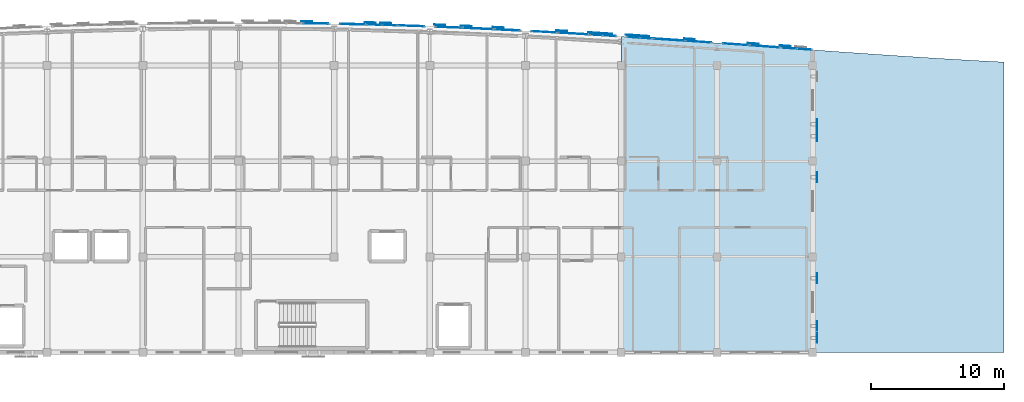
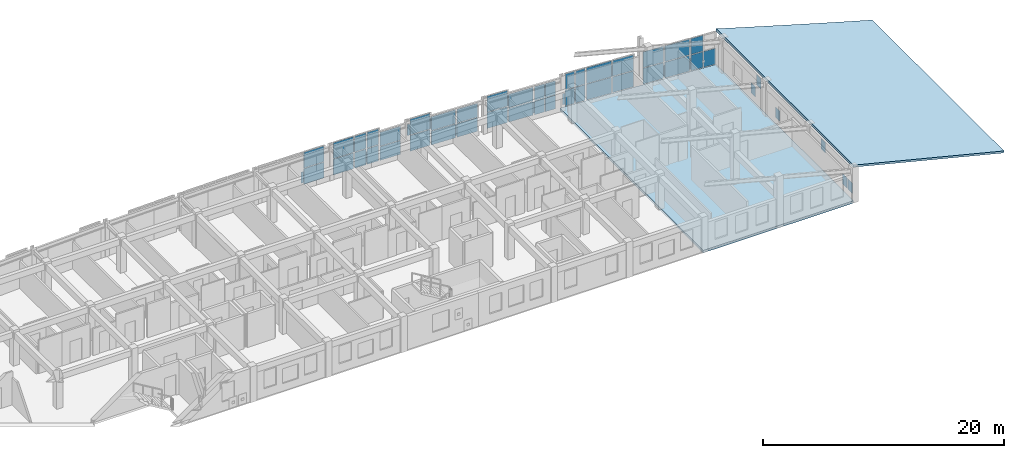
# One storey, part 28 of 41: 59 plates, 2 slabs, 16 elements without a shape of their own.
"""IFC4 building model written with IfcOpenShell, lengths in metres."""

import ifcopenshell
import ifcopenshell.guid

model = None  # the IFC model being written
_history = None  # IfcOwnerHistory: only IFC2X3 demands one
_inside = {}  # id of a spatial element -> (the spatial element, [elements in it])
_under = {}  # id of a project, library or spatial element -> (it, [spatial elements below it])
_declared = {}  # id of a project -> (the project, [libraries it declares])
_typed = {}  # id of a type object -> (the type object, [elements of that type])
_made_of = {}  # id of a material, layer set ... -> (it, [elements and type objects made of it])


def new_model(schema):
    """Start an empty IFC model of exactly this schema.

    Asked for "IFC4X3", IfcOpenShell would pick the latest addendum, in which some entities
    have other attributes; the version numbers below select the first issue.
    IFC2X3 requires an IfcOwnerHistory on every rooted entity: one is made here for all.
    """
    global model, _history
    if schema == "IFC4X3":
        model = ifcopenshell.file(schema_version=(4, 3, 0, 0))
    else:
        model = ifcopenshell.file(schema=schema)
    _inside.clear()
    _under.clear()
    _declared.clear()
    _typed.clear()
    _made_of.clear()
    _history = None
    if model.schema == "IFC2X3":
        org = make("IfcOrganization", Name="unknown")
        user = make(
            "IfcPersonAndOrganization",
            ThePerson=make("IfcPerson", FamilyName="unknown"),
            TheOrganization=org,
        )
        app = make(
            "IfcApplication",
            ApplicationDeveloper=org,
            Version="unknown",
            ApplicationFullName="unknown",
            ApplicationIdentifier="unknown",
        )
        _history = make(
            "IfcOwnerHistory",
            OwningUser=user,
            OwningApplication=app,
            ChangeAction="ADDED",
            CreationDate=0,
        )
    return model


def make(cls, **values):
    """One entity of the class cls with the attributes given. An attribute that is None is left unset."""
    return model.create_entity(
        cls, **{name: value for name, value in values.items() if value is not None}
    )


def rooted(cls, **values):
    """An entity with a GlobalId (a new one), such as an element, a storey or a relation."""
    return make(cls, GlobalId=ifcopenshell.guid.new(), OwnerHistory=_history, **values)


def si_unit(unit_type, name, prefix=None):
    """IfcSIUnit, for example si_unit("LENGTHUNIT", "METRE", prefix="MILLI")."""
    return make("IfcSIUnit", UnitType=unit_type, Prefix=prefix, Name=name)


def assignment(units):
    """IfcUnitAssignment: the units of a project."""
    return None if units is None else make("IfcUnitAssignment", Units=units)


def point(xyz):
    """IfcCartesianPoint."""
    return None if xyz is None else make("IfcCartesianPoint", Coordinates=xyz)


def direction(xyz):
    """IfcDirection."""
    return None if xyz is None else make("IfcDirection", DirectionRatios=xyz)


def frame(location, z_axis=None, x_axis=None):
    """IfcAxis2Placement3D, a coordinate frame: its origin and axes. An axis left out is left unset."""
    return make(
        "IfcAxis2Placement3D",
        Location=point(location),
        Axis=direction(z_axis),
        RefDirection=direction(x_axis),
    )


def frame_2d(location, x_axis=None):
    """IfcAxis2Placement2D, a coordinate frame in the plane: its origin and x axis."""
    return make(
        "IfcAxis2Placement2D", Location=point(location), RefDirection=direction(x_axis)
    )


def origin():
    """The frame at (0, 0, 0) with its axes left unset."""
    return frame((0.0, 0.0, 0.0))


def origin_2d():
    """The frame at (0, 0) in the plane with its x axis left unset."""
    return frame_2d((0.0, 0.0))


def place(relative_to, where):
    """IfcLocalPlacement: puts the frame where relative to a parent placement (None: the world)."""
    return make(
        "IfcLocalPlacement", PlacementRelTo=relative_to, RelativePlacement=where
    )


def context(
    kind, dimensions, precision=None, world=None, true_north=None, identifier=None
):
    """IfcGeometricRepresentationContext, for example the 3D "Model" context."""
    return make(
        "IfcGeometricRepresentationContext",
        ContextIdentifier=identifier,
        ContextType=kind,
        CoordinateSpaceDimension=dimensions,
        Precision=precision,
        WorldCoordinateSystem=world,
        TrueNorth=true_north,
    )


def subcontext(parent, identifier, kind, view, scale=None):
    """IfcGeometricRepresentationSubContext, for example "Body" below "Model"."""
    return make(
        "IfcGeometricRepresentationSubContext",
        ContextIdentifier=identifier,
        ContextType=kind,
        ParentContext=parent,
        TargetScale=scale,
        TargetView=view,
    )


def project(units=None, contexts=None):
    """IfcProject with its units and contexts."""
    return rooted(
        "IfcProject",
        Name="project",
        RepresentationContexts=contexts,
        UnitsInContext=assignment(units),
    )


def spatial(cls, under=None, at=None, **own):
    """A site, building, storey or space (cls), placed at a placement, below another one or the project."""
    s = rooted(cls, ObjectPlacement=at, **own)
    if under is not None:
        _under.setdefault(under.id(), (under, []))[1].append(s)
    return s


def polyline(points):
    """IfcPolyline through the points."""
    return make("IfcPolyline", Points=[point(p) for p in points])


def profile(cls, at=None, kind="AREA", **sizes):
    """A parametric profile (cls). Its sizes go by their IFC names, for example OverallWidth=200.0."""
    return make(cls, ProfileType=kind, Position=at, **sizes)


def rectangle(**sizes):
    """IfcRectangleProfileDef."""
    return profile("IfcRectangleProfileDef", **sizes)


def outline(outer, holes=None, kind="AREA"):
    """IfcArbitraryClosedProfileDef: a profile drawn as a closed curve; with holes, ...WithVoids."""
    if holes is None:
        return make("IfcArbitraryClosedProfileDef", ProfileType=kind, OuterCurve=outer)
    return make(
        "IfcArbitraryProfileDefWithVoids",
        ProfileType=kind,
        OuterCurve=outer,
        InnerCurves=holes,
    )


def extrude(swept, where, along, depth):
    """IfcExtrudedAreaSolid: the profile swept, set in the frame where, extruded along a direction by depth."""
    return make(
        "IfcExtrudedAreaSolid",
        SweptArea=swept,
        Position=where,
        ExtrudedDirection=direction(along),
        Depth=depth,
    )


def shape(context_of_items, identifier, shape_type, items):
    """IfcShapeRepresentation: the items that make up one representation, for example the "Body"."""
    return make(
        "IfcShapeRepresentation",
        ContextOfItems=context_of_items,
        RepresentationIdentifier=identifier,
        RepresentationType=shape_type,
        Items=items,
    )


def material(Name=None, Category=None):
    """IfcMaterial."""
    return make("IfcMaterial", Name=Name, Category=Category)


def layer(
    of_material, thickness, ventilated=None, Name=None, Category=None, Priority=None
):
    """IfcMaterialLayer: one layer of a wall or slab, of a material (None: an air gap)."""
    return make(
        "IfcMaterialLayer",
        Material=of_material,
        LayerThickness=thickness,
        IsVentilated=ventilated,
        Name=Name,
        Category=Category,
        Priority=Priority,
    )


def layer_set(layers, Name=None):
    """IfcMaterialLayerSet."""
    return make("IfcMaterialLayerSet", MaterialLayers=layers, LayerSetName=Name)


def made_of(thing, what):
    """Note that an element or type object is made of a material, layer set ...; save() writes the relation."""
    if what is not None:
        _made_of.setdefault(what.id(), (what, []))[1].append(thing)
    return thing


def type_object(cls, material=None, **own):
    """A type object (cls), such as IfcWallType, which elements share."""
    return made_of(rooted(cls, **own), material)


def element(
    cls,
    number,
    at=None,
    inside=None,
    cuts=None,
    type_object=None,
    material=None,
    context=None,
    identifier="Body",
    shape_type=None,
    held_by="IfcProductDefinitionShape",
    body=None,
    shapes=None,
    **own,
):
    """One element of the class cls, such as IfcWall. Its Tag is "e" and its number.

    at: its placement. inside: the storey or other place that contains it. cuts: it is an
    opening in that element (IfcRelVoidsElement). A single representation is given by context,
    identifier, shape_type and body (its items); several are given by shapes. held_by: the class
    of the entity that holds the representations. save() writes the other relations.
    """
    e = rooted(cls, Tag="e%d" % number, ObjectPlacement=at, **own)
    if body is not None:
        shapes = [shape(context, identifier, shape_type, body)]
    if shapes is not None:
        e.Representation = make(held_by, Representations=shapes)
    if inside is not None:
        _inside.setdefault(inside.id(), (inside, []))[1].append(e)
    if cuts is not None:
        rooted(
            "IfcRelVoidsElement", RelatingBuildingElement=cuts, RelatedOpeningElement=e
        )
    if type_object is not None:
        _typed.setdefault(type_object.id(), (type_object, []))[1].append(e)
    return made_of(e, material)


def aggregate(whole, parts):
    """IfcRelAggregates: a whole, such as a stair, and the parts it consists of."""
    return rooted("IfcRelAggregates", RelatingObject=whole, RelatedObjects=parts)


def save(model, path):
    """Write the relations noted so far, then the file.

    IfcRelAggregates (storeys below a building ...), IfcRelContainedInSpatialStructure (elements
    in a storey), IfcRelDefinesByType, IfcRelAssociatesMaterial and IfcRelDeclares: one each for
    every whole, place, type object, material and project.
    """
    for whole, parts in _under.values():
        aggregate(whole, parts)
    for where, things in _inside.values():
        rooted(
            "IfcRelContainedInSpatialStructure",
            RelatedElements=things,
            RelatingStructure=where,
        )
    for kind, things in _typed.values():
        rooted("IfcRelDefinesByType", RelatedObjects=things, RelatingType=kind)
    for what, things in _made_of.values():
        rooted("IfcRelAssociatesMaterial", RelatedObjects=things, RelatingMaterial=what)
    for by, libraries in _declared.values():
        rooted("IfcRelDeclares", RelatingContext=by, RelatedDefinitions=libraries)
    model.write(path)


model = new_model("IFC4")

# Units and contexts
model_context = context("Model", 3, precision=1e-05, world=origin(), true_north=direction((0.0, 1.0)))
body_context = subcontext(model_context, "Body", "Model", "MODEL_VIEW")
ifc_project = project(units=[si_unit("LENGTHUNIT", "METRE"), si_unit("AREAUNIT", "SQUARE_METRE"), si_unit("VOLUMEUNIT", "CUBIC_METRE"), si_unit("PLANEANGLEUNIT", "RADIAN"), si_unit("MASSUNIT", "GRAM", prefix="KILO")], contexts=[model_context])

# Site, building, storey
site_placement = place(None, origin())
site = spatial("IfcSite", under=ifc_project, at=site_placement, CompositionType="ELEMENT")
building_placement = place(site_placement, origin())
building = spatial("IfcBuilding", under=site, at=building_placement, Name="Carrowvane Square Congress Hotel", CompositionType="ELEMENT")
storey_placement = place(building_placement, frame((0.0, 0.0, 37.199951171875)))
storey = spatial("IfcBuildingStorey", under=building, at=storey_placement, Name="L09", CompositionType="ELEMENT", Elevation=37.199951171875)

# Curtain wall, plates
ifc_material_1 = material(Name="Anodised aluminium", Category="aluminium")
ifc_layer_1 = layer(ifc_material_1, 0.24609375)
ifc_layer_set_1 = layer_set([ifc_layer_1], Name="Anodised aluminium")
curtain_wall_type_1 = type_object("IfcCurtainWallType", Name="CW-SYS-8", PredefinedType="NOTDEFINED", material=ifc_layer_set_1)
curtain_wall_1_placement = place(storey_placement, origin())
curtain_wall_1 = element("IfcCurtainWall", 1, at=curtain_wall_1_placement, inside=storey, type_object=curtain_wall_type_1, Name="L09 unitised curtain wall 535", PredefinedType="NOTDEFINED")
ifc_material_2 = material(Name="Double-glazed low-E glass", Category="glass")
ifc_layer_2 = layer(ifc_material_2, 0.028076171875)
ifc_layer_set_2 = layer_set([ifc_layer_2], Name="Double-glazed low-E glass")
plate_type_1 = type_object("IfcPlateType", Name="CW-PAN-1", PredefinedType="CURTAIN_PANEL", material=ifc_layer_set_2)
plate_1_placement = place(storey_placement, frame((108.217529296875, 116.4580078125, 0.070068359375), z_axis=(0.0, 0.0, 1.0), x_axis=(0.999589848065, -0.028638010501, 0.0)))
plate_1 = element("IfcPlate", 2, at=plate_1_placement, type_object=plate_type_1, Name="CW-8 panel 1.1", PredefinedType="CURTAIN_PANEL", context=body_context, shape_type="SweptSolid", body=[
    extrude(rectangle(XDim=1.095458984375, YDim=0.028076171875, at=origin_2d()), origin(), (0.0, 0.0, 1.0), 1.5849609375),
])
plate_2_placement = place(storey_placement, frame((108.217529296875, 116.4580078125, 1.72509765625), z_axis=(0.0, 0.0, 1.0), x_axis=(0.999589848065, -0.028638010501, 0.0)))
plate_2 = element("IfcPlate", 3, at=plate_2_placement, type_object=plate_type_1, Name="CW-8 panel 1.2", PredefinedType="CURTAIN_PANEL", context=body_context, shape_type="SweptSolid", body=[
    extrude(rectangle(XDim=1.095458984375, YDim=0.028076171875, at=origin_2d()), origin(), (0.0, 0.0, 1.0), 1.5849609375),
])
plate_3_placement = place(storey_placement, frame((109.382568359375, 116.424560546875, 0.070068359375), z_axis=(0.0, 0.0, 1.0), x_axis=(0.999589848065, -0.028638010501, 0.0)))
plate_3 = element("IfcPlate", 4, at=plate_3_placement, type_object=plate_type_1, Name="CW-8 panel 2.1", PredefinedType="CURTAIN_PANEL", context=body_context, shape_type="SweptSolid", body=[
    extrude(rectangle(XDim=1.095458984375, YDim=0.028076171875, at=origin_2d()), origin(), (0.0, 0.0, 1.0), 1.5849609375),
])
plate_4_placement = place(storey_placement, frame((109.382568359375, 116.424560546875, 1.72509765625), z_axis=(0.0, 0.0, 1.0), x_axis=(0.999589848065, -0.028638010501, 0.0)))
plate_4 = element("IfcPlate", 5, at=plate_4_placement, type_object=plate_type_1, Name="CW-8 panel 2.2", PredefinedType="CURTAIN_PANEL", context=body_context, shape_type="SweptSolid", body=[
    extrude(rectangle(XDim=1.095458984375, YDim=0.028076171875, at=origin_2d()), origin(), (0.0, 0.0, 1.0), 1.5849609375),
])
aggregate(curtain_wall_1, [plate_1, plate_2, plate_3, plate_4])

ifc_material_3 = material(Name="Anodised aluminium", Category="aluminium")
ifc_layer_3 = layer(ifc_material_3, 0.2099609375)
ifc_layer_set_3 = layer_set([ifc_layer_3], Name="Anodised aluminium")
curtain_wall_type_2 = type_object("IfcCurtainWallType", Name="CW-SYS-5", PredefinedType="NOTDEFINED", material=ifc_layer_set_3)
curtain_wall_2_placement = place(storey_placement, origin())
curtain_wall_2 = element("IfcCurtainWall", 6, at=curtain_wall_2_placement, inside=storey, type_object=curtain_wall_type_2, Name="L09 unitised curtain wall 540", PredefinedType="NOTDEFINED")
plate_5_placement = place(storey_placement, frame((121.002197265625, 115.920654296875, 0.06005859375), z_axis=(0.0, 0.0, 1.0), x_axis=(0.998496473856, -0.054815980317, 0.0)))
plate_5 = element("IfcPlate", 7, at=plate_5_placement, type_object=plate_type_1, Name="CW-5 panel 1.1", PredefinedType="CURTAIN_PANEL", context=body_context, shape_type="SweptSolid", body=[
    extrude(rectangle(XDim=1.87841796875, YDim=0.028076171875, at=origin_2d()), origin(), (0.0, 0.0, 1.0), 1.60009765625),
])
plate_6_placement = place(storey_placement, frame((121.002197265625, 115.920654296875, 1.719970703125), z_axis=(0.0, 0.0, 1.0), x_axis=(0.998496473856, -0.054815980317, 0.0)))
plate_6 = element("IfcPlate", 8, at=plate_6_placement, type_object=plate_type_1, Name="CW-5 panel 1.2", PredefinedType="CURTAIN_PANEL", context=body_context, shape_type="SweptSolid", body=[
    extrude(rectangle(XDim=1.87841796875, YDim=0.028076171875, at=origin_2d()), origin(), (0.0, 0.0, 1.0), 1.60009765625),
])
aggregate(curtain_wall_2, [plate_5, plate_6])

ifc_material_4 = material(Name="Anodised aluminium", Category="aluminium")
ifc_layer_4 = layer(ifc_material_4, 0.174072265625)
ifc_layer_set_4 = layer_set([ifc_layer_4], Name="Anodised aluminium")
curtain_wall_type_3 = type_object("IfcCurtainWallType", Name="CW-SYS-2", PredefinedType="NOTDEFINED", material=ifc_layer_set_4)
curtain_wall_3_placement = place(storey_placement, origin())
curtain_wall_3 = element("IfcCurtainWall", 9, at=curtain_wall_3_placement, inside=storey, type_object=curtain_wall_type_3, Name="L09 unitised curtain wall 545", PredefinedType="NOTDEFINED")
plate_7_placement = place(storey_placement, frame((132.621337890625, 115.182373046875, 0.070068359375), z_axis=(0.0, 0.0, 1.0), x_axis=(0.997566119277, -0.069726879118, 0.0)))
plate_7 = element("IfcPlate", 10, at=plate_7_placement, type_object=plate_type_1, Name="CW-2 panel 1.1", PredefinedType="CURTAIN_PANEL", context=body_context, shape_type="SweptSolid", body=[
    extrude(rectangle(XDim=1.90771484375, YDim=0.028076171875, at=origin_2d()), origin(), (0.0, 0.0, 1.0), 1.5849609375),
])
plate_8_placement = place(storey_placement, frame((132.621337890625, 115.182373046875, 1.72509765625), z_axis=(0.0, 0.0, 1.0), x_axis=(0.997566119277, -0.069726879118, 0.0)))
plate_8 = element("IfcPlate", 11, at=plate_8_placement, type_object=plate_type_1, Name="CW-2 panel 1.2", PredefinedType="CURTAIN_PANEL", context=body_context, shape_type="SweptSolid", body=[
    extrude(rectangle(XDim=1.90771484375, YDim=0.028076171875, at=origin_2d()), origin(), (0.0, 0.0, 1.0), 1.5849609375),
])
aggregate(curtain_wall_3, [plate_7, plate_8])

ifc_material_5 = material(Name="Anodised aluminium", Category="aluminium")
ifc_layer_5 = layer(ifc_material_5, 0.162109375)
ifc_layer_set_5 = layer_set([ifc_layer_5], Name="Anodised aluminium")
curtain_wall_type_4 = type_object("IfcCurtainWallType", Name="CW-SYS-1", PredefinedType="NOTDEFINED", material=ifc_layer_set_5)
curtain_wall_4_placement = place(storey_placement, origin())
curtain_wall_4 = element("IfcCurtainWall", 12, at=curtain_wall_4_placement, inside=storey, type_object=curtain_wall_type_4, Name="L09 unitised curtain wall 536", PredefinedType="NOTDEFINED")
ifc_material_6 = material(Name="Double-glazed low-E glass", Category="glass")
ifc_layer_6 = layer(ifc_material_6, 0.031982421875)
ifc_layer_set_6 = layer_set([ifc_layer_6], Name="Double-glazed low-E glass")
plate_type_2 = type_object("IfcPlateType", Name="CW-PAN-2", PredefinedType="CURTAIN_PANEL", material=ifc_layer_set_6)
plate_9_placement = place(storey_placement, frame((111.0146484375, 116.371826171875, 0.06005859375), z_axis=(0.0, 0.0, 1.0), x_axis=(0.999403663525, -0.034529948347, 0.0)))
plate_9 = element("IfcPlate", 13, at=plate_9_placement, type_object=plate_type_2, Name="CW-1 panel 1.1", PredefinedType="CURTAIN_PANEL", context=body_context, shape_type="SweptSolid", body=[
    extrude(rectangle(XDim=1.91064453125, YDim=0.031982421875, at=origin_2d()), origin(), (0.0, 0.0, 1.0), 1.3876953125),
])
plate_10_placement = place(storey_placement, frame((111.0146484375, 116.371826171875, 1.5078125), z_axis=(0.0, 0.0, 1.0), x_axis=(0.999403663525, -0.034529948347, 0.0)))
plate_10 = element("IfcPlate", 14, at=plate_10_placement, type_object=plate_type_2, Name="CW-1 panel 1.2", PredefinedType="CURTAIN_PANEL", context=body_context, shape_type="SweptSolid", body=[
    extrude(rectangle(XDim=1.91064453125, YDim=0.031982421875, at=origin_2d()), origin(), (0.0, 0.0, 1.0), 1.3876953125),
])
aggregate(curtain_wall_4, [plate_9, plate_10])

ifc_material_7 = material(Name="Anodised aluminium", Category="aluminium")
ifc_layer_7 = layer(ifc_material_7, 0.221923828125)
ifc_layer_set_7 = layer_set([ifc_layer_7], Name="Anodised aluminium")
curtain_wall_type_5 = type_object("IfcCurtainWallType", Name="CW-SYS-6", PredefinedType="NOTDEFINED", material=ifc_layer_set_7)
curtain_wall_5_placement = place(storey_placement, origin())
curtain_wall_5 = element("IfcCurtainWall", 15, at=curtain_wall_5_placement, inside=storey, type_object=curtain_wall_type_5, Name="L09 unitised curtain wall 541", PredefinedType="NOTDEFINED")
plate_11_placement = place(storey_placement, frame((123.199951171875, 115.795166015625, 0.06982421875), z_axis=(0.0, 0.0, 1.0), x_axis=(0.998266763162, -0.058851249486, 0.0)))
plate_11 = element("IfcPlate", 16, at=plate_11_placement, type_object=plate_type_2, Name="CW-6 panel 1.1", PredefinedType="CURTAIN_PANEL", context=body_context, shape_type="SweptSolid", body=[
    extrude(rectangle(XDim=2.26416015625, YDim=0.031982421875, at=origin_2d()), origin(), (0.0, 0.0, 1.0), 1.372802734375),
])
plate_12_placement = place(storey_placement, frame((123.199951171875, 115.795166015625, 1.5126953125), z_axis=(0.0, 0.0, 1.0), x_axis=(0.998266763162, -0.058851249486, 0.0)))
plate_12 = element("IfcPlate", 17, at=plate_12_placement, type_object=plate_type_2, Name="CW-6 panel 1.2", PredefinedType="CURTAIN_PANEL", context=body_context, shape_type="SweptSolid", body=[
    extrude(rectangle(XDim=2.26416015625, YDim=0.031982421875, at=origin_2d()), origin(), (0.0, 0.0, 1.0), 1.372802734375),
])
aggregate(curtain_wall_5, [plate_11, plate_12])

ifc_material_8 = material(Name="Anodised aluminium", Category="aluminium")
ifc_layer_8 = layer(ifc_material_8, 0.18603515625)
ifc_layer_set_8 = layer_set([ifc_layer_8], Name="Anodised aluminium")
curtain_wall_type_6 = type_object("IfcCurtainWallType", Name="CW-SYS-3", PredefinedType="NOTDEFINED", material=ifc_layer_set_8)
curtain_wall_6_placement = place(storey_placement, origin())
curtain_wall_6 = element("IfcCurtainWall", 18, at=curtain_wall_6_placement, inside=storey, type_object=curtain_wall_type_6, Name="L09 unitised curtain wall 546", PredefinedType="NOTDEFINED")
plate_13_placement = place(storey_placement, frame((135.4052734375, 114.986083984375, 0.06005859375), z_axis=(0.0, 0.0, 1.0), x_axis=(0.997479171673, -0.070959862453, 0.0)))
plate_13 = element("IfcPlate", 19, at=plate_13_placement, type_object=plate_type_2, Name="CW-3 panel 1.1", PredefinedType="CURTAIN_PANEL", context=body_context, shape_type="SweptSolid", body=[
    extrude(rectangle(XDim=1.87451171875, YDim=0.031982421875, at=origin_2d()), origin(), (0.0, 0.0, 1.0), 1.60009765625),
])
plate_14_placement = place(storey_placement, frame((135.4052734375, 114.986083984375, 1.719970703125), z_axis=(0.0, 0.0, 1.0), x_axis=(0.997479171673, -0.070959862453, 0.0)))
plate_14 = element("IfcPlate", 20, at=plate_14_placement, type_object=plate_type_2, Name="CW-3 panel 1.2", PredefinedType="CURTAIN_PANEL", context=body_context, shape_type="SweptSolid", body=[
    extrude(rectangle(XDim=1.87451171875, YDim=0.031982421875, at=origin_2d()), origin(), (0.0, 0.0, 1.0), 1.60009765625),
])
aggregate(curtain_wall_6, [plate_13, plate_14])

curtain_wall_7_placement = place(storey_placement, origin())
curtain_wall_7 = element("IfcCurtainWall", 21, at=curtain_wall_7_placement, inside=storey, type_object=curtain_wall_type_3, Name="L09 unitised curtain wall 537", PredefinedType="NOTDEFINED")
ifc_material_9 = material(Name="Double-glazed low-E glass", Category="glass")
ifc_layer_9 = layer(ifc_material_9, 0.035888671875)
ifc_layer_set_9 = layer_set([ifc_layer_9], Name="Double-glazed low-E glass")
plate_type_3 = type_object("IfcPlateType", Name="CW-PAN-3", PredefinedType="CURTAIN_PANEL", material=ifc_layer_set_9)
plate_15_placement = place(storey_placement, frame((113.79931640625, 116.267822265625, 0.070068359375), z_axis=(0.0, 0.0, 1.0), x_axis=(0.999194428656, -0.040130957403, 0.0)))
plate_15 = element("IfcPlate", 22, at=plate_15_placement, type_object=plate_type_3, Name="CW-2 panel 1.1", PredefinedType="CURTAIN_PANEL", context=body_context, shape_type="SweptSolid", body=[
    extrude(rectangle(XDim=1.86279296875, YDim=0.035888671875, at=origin_2d()), origin(), (0.0, 0.0, 1.0), 1.5849609375),
])
plate_16_placement = place(storey_placement, frame((113.79931640625, 116.267822265625, 1.72509765625), z_axis=(0.0, 0.0, 1.0), x_axis=(0.999194428656, -0.040130957403, 0.0)))
plate_16 = element("IfcPlate", 23, at=plate_16_placement, type_object=plate_type_3, Name="CW-2 panel 1.2", PredefinedType="CURTAIN_PANEL", context=body_context, shape_type="SweptSolid", body=[
    extrude(rectangle(XDim=1.86279296875, YDim=0.035888671875, at=origin_2d()), origin(), (0.0, 0.0, 1.0), 1.5849609375),
])
aggregate(curtain_wall_7, [plate_15, plate_16])

ifc_material_10 = material(Name="Anodised aluminium", Category="aluminium")
ifc_layer_10 = layer(ifc_material_10, 0.23388671875)
ifc_layer_set_10 = layer_set([ifc_layer_10], Name="Anodised aluminium")
curtain_wall_type_7 = type_object("IfcCurtainWallType", Name="CW-SYS-7", PredefinedType="NOTDEFINED", material=ifc_layer_set_10)
curtain_wall_8_placement = place(storey_placement, origin())
curtain_wall_8 = element("IfcCurtainWall", 24, at=curtain_wall_8_placement, inside=storey, type_object=curtain_wall_type_7, Name="L09 unitised curtain wall 542", PredefinedType="NOTDEFINED")
plate_17_placement = place(storey_placement, frame((124.925048828125, 115.69140625, 0.06005859375), z_axis=(0.0, 0.0, 1.0), x_axis=(0.998051398046, -0.062397170272, 0.0)))
plate_17 = element("IfcPlate", 25, at=plate_17_placement, type_object=plate_type_3, Name="CW-7 panel 1.1", PredefinedType="CURTAIN_PANEL", context=body_context, shape_type="SweptSolid", body=[
    extrude(rectangle(XDim=0.931884765625, YDim=0.035888671875, at=origin_2d()), origin(), (0.0, 0.0, 1.0), 1.3876953125),
])
plate_18_placement = place(storey_placement, frame((124.925048828125, 115.69140625, 1.5078125), z_axis=(0.0, 0.0, 1.0), x_axis=(0.998051398046, -0.062397170272, 0.0)))
plate_18 = element("IfcPlate", 26, at=plate_18_placement, type_object=plate_type_3, Name="CW-7 panel 1.2", PredefinedType="CURTAIN_PANEL", context=body_context, shape_type="SweptSolid", body=[
    extrude(rectangle(XDim=0.931884765625, YDim=0.035888671875, at=origin_2d()), origin(), (0.0, 0.0, 1.0), 1.3876953125),
])
plate_19_placement = place(storey_placement, frame((125.9150390625, 115.629638671875, 0.06005859375), z_axis=(0.0, 0.0, 1.0), x_axis=(0.998051398046, -0.062397170272, 0.0)))
plate_19 = element("IfcPlate", 27, at=plate_19_placement, type_object=plate_type_3, Name="CW-7 panel 2.1", PredefinedType="CURTAIN_PANEL", context=body_context, shape_type="SweptSolid", body=[
    extrude(rectangle(XDim=0.931884765625, YDim=0.035888671875, at=origin_2d()), origin(), (0.0, 0.0, 1.0), 1.3876953125),
])
plate_20_placement = place(storey_placement, frame((125.9150390625, 115.629638671875, 1.5078125), z_axis=(0.0, 0.0, 1.0), x_axis=(0.998051398046, -0.062397170272, 0.0)))
plate_20 = element("IfcPlate", 28, at=plate_20_placement, type_object=plate_type_3, Name="CW-7 panel 2.2", PredefinedType="CURTAIN_PANEL", context=body_context, shape_type="SweptSolid", body=[
    extrude(rectangle(XDim=0.931884765625, YDim=0.035888671875, at=origin_2d()), origin(), (0.0, 0.0, 1.0), 1.3876953125),
])
aggregate(curtain_wall_8, [plate_17, plate_18, plate_19, plate_20])

ifc_material_11 = material(Name="Anodised aluminium", Category="aluminium")
ifc_layer_11 = layer(ifc_material_11, 0.197998046875)
ifc_layer_set_11 = layer_set([ifc_layer_11], Name="Anodised aluminium")
curtain_wall_type_8 = type_object("IfcCurtainWallType", Name="CW-SYS-4", PredefinedType="NOTDEFINED", material=ifc_layer_set_11)
curtain_wall_9_placement = place(storey_placement, origin())
curtain_wall_9 = element("IfcCurtainWall", 29, at=curtain_wall_9_placement, inside=storey, type_object=curtain_wall_type_8, Name="L09 unitised curtain wall 547", PredefinedType="NOTDEFINED")
plate_21_placement = place(storey_placement, frame((137.60009765625, 114.8291015625, 0.070068359375), z_axis=(0.0, 0.0, 1.0), x_axis=(0.997438322595, -0.071531759512, 0.0)))
plate_21 = element("IfcPlate", 30, at=plate_21_placement, type_object=plate_type_3, Name="CW-4 panel 1.1", PredefinedType="CURTAIN_PANEL", context=body_context, shape_type="SweptSolid", body=[
    extrude(rectangle(XDim=2.26611328125, YDim=0.035888671875, at=origin_2d()), origin(), (0.0, 0.0, 1.0), 1.5849609375),
])
plate_22_placement = place(storey_placement, frame((137.60009765625, 114.8291015625, 1.72509765625), z_axis=(0.0, 0.0, 1.0), x_axis=(0.997438322595, -0.071531759512, 0.0)))
plate_22 = element("IfcPlate", 31, at=plate_22_placement, type_object=plate_type_3, Name="CW-4 panel 1.2", PredefinedType="CURTAIN_PANEL", context=body_context, shape_type="SweptSolid", body=[
    extrude(rectangle(XDim=2.26611328125, YDim=0.035888671875, at=origin_2d()), origin(), (0.0, 0.0, 1.0), 1.5849609375),
])
aggregate(curtain_wall_9, [plate_21, plate_22])

curtain_wall_10_placement = place(storey_placement, origin())
curtain_wall_10 = element("IfcCurtainWall", 32, at=curtain_wall_10_placement, inside=storey, type_object=curtain_wall_type_5, Name="L09 unitised curtain wall 533", PredefinedType="NOTDEFINED")
ifc_material_12 = material(Name="Double-glazed low-E glass", Category="glass")
ifc_layer_12 = layer(ifc_material_12, 0.0419921875)
ifc_layer_set_12 = layer_set([ifc_layer_12], Name="Double-glazed low-E glass")
plate_type_4 = type_object("IfcPlateType", Name="CW-PAN-4", PredefinedType="CURTAIN_PANEL", material=ifc_layer_set_12)
plate_23_placement = place(storey_placement, frame((103.811279296875, 116.55224609375, 0.070068359375), z_axis=(0.0, 0.0, 1.0), x_axis=(0.99986851233, -0.016215981364, 0.0)))
plate_23 = element("IfcPlate", 33, at=plate_23_placement, type_object=plate_type_4, Name="CW-6 panel 1.1", PredefinedType="CURTAIN_PANEL", context=body_context, shape_type="SweptSolid", body=[
    extrude(rectangle(XDim=1.8828125, YDim=0.0419921875, at=origin_2d()), origin(), (0.0, 0.0, 1.0), 1.5849609375),
])
plate_24_placement = place(storey_placement, frame((103.811279296875, 116.55224609375, 1.72509765625), z_axis=(0.0, 0.0, 1.0), x_axis=(0.99986851233, -0.016215981364, 0.0)))
plate_24 = element("IfcPlate", 34, at=plate_24_placement, type_object=plate_type_4, Name="CW-6 panel 1.2", PredefinedType="CURTAIN_PANEL", context=body_context, shape_type="SweptSolid", body=[
    extrude(rectangle(XDim=1.8828125, YDim=0.0419921875, at=origin_2d()), origin(), (0.0, 0.0, 1.0), 1.5849609375),
])
aggregate(curtain_wall_10, [plate_23, plate_24])

curtain_wall_11_placement = place(storey_placement, origin())
curtain_wall_11 = element("IfcCurtainWall", 35, at=curtain_wall_11_placement, inside=storey, type_object=curtain_wall_type_6, Name="L09 unitised curtain wall 538", PredefinedType="NOTDEFINED")
plate_25_placement = place(storey_placement, frame((116.0, 116.173095703125, 0.06005859375), z_axis=(0.0, 0.0, 1.0), x_axis=(0.998968385726, -0.045411059449, 0.0)))
plate_25 = element("IfcPlate", 36, at=plate_25_placement, type_object=plate_type_4, Name="CW-3 panel 1.1", PredefinedType="CURTAIN_PANEL", context=body_context, shape_type="SweptSolid", body=[
    extrude(rectangle(XDim=2.282470703125, YDim=0.0419921875, at=origin_2d()), origin(), (0.0, 0.0, 1.0), 1.3876953125),
])
plate_26_placement = place(storey_placement, frame((116.0, 116.173095703125, 1.5078125), z_axis=(0.0, 0.0, 1.0), x_axis=(0.998968385726, -0.045411059449, 0.0)))
plate_26 = element("IfcPlate", 37, at=plate_26_placement, type_object=plate_type_4, Name="CW-3 panel 1.2", PredefinedType="CURTAIN_PANEL", context=body_context, shape_type="SweptSolid", body=[
    extrude(rectangle(XDim=2.282470703125, YDim=0.0419921875, at=origin_2d()), origin(), (0.0, 0.0, 1.0), 1.3876953125),
])
aggregate(curtain_wall_11, [plate_25, plate_26])

curtain_wall_12_placement = place(storey_placement, origin())
curtain_wall_12 = element("IfcCurtainWall", 38, at=curtain_wall_12_placement, inside=storey, type_object=curtain_wall_type_1, Name="L09 unitised curtain wall 543", PredefinedType="NOTDEFINED")
plate_27_placement = place(storey_placement, frame((127.723876953125, 115.513671875, 0.070068359375), z_axis=(0.0, 0.0, 1.0), x_axis=(0.9978582145, -0.065413941589, 0.0)))
plate_27 = element("IfcPlate", 39, at=plate_27_placement, type_object=plate_type_4, Name="CW-8 panel 1.1", PredefinedType="CURTAIN_PANEL", context=body_context, shape_type="SweptSolid", body=[
    extrude(rectangle(XDim=0.89306640625, YDim=0.0419921875, at=origin_2d()), origin(), (0.0, 0.0, 1.0), 1.5849609375),
])
plate_28_placement = place(storey_placement, frame((127.723876953125, 115.513671875, 1.72509765625), z_axis=(0.0, 0.0, 1.0), x_axis=(0.9978582145, -0.065413941589, 0.0)))
plate_28 = element("IfcPlate", 40, at=plate_28_placement, type_object=plate_type_4, Name="CW-8 panel 1.2", PredefinedType="CURTAIN_PANEL", context=body_context, shape_type="SweptSolid", body=[
    extrude(rectangle(XDim=0.89306640625, YDim=0.0419921875, at=origin_2d()), origin(), (0.0, 0.0, 1.0), 1.5849609375),
])
plate_29_placement = place(storey_placement, frame((128.6845703125, 115.45068359375, 0.070068359375), z_axis=(0.0, 0.0, 1.0), x_axis=(0.9978582145, -0.065413941589, 0.0)))
plate_29 = element("IfcPlate", 41, at=plate_29_placement, type_object=plate_type_4, Name="CW-8 panel 2.1", PredefinedType="CURTAIN_PANEL", context=body_context, shape_type="SweptSolid", body=[
    extrude(rectangle(XDim=0.89306640625, YDim=0.0419921875, at=origin_2d()), origin(), (0.0, 0.0, 1.0), 1.5849609375),
])
plate_30_placement = place(storey_placement, frame((128.6845703125, 115.45068359375, 1.72509765625), z_axis=(0.0, 0.0, 1.0), x_axis=(0.9978582145, -0.065413941589, 0.0)))
plate_30 = element("IfcPlate", 42, at=plate_30_placement, type_object=plate_type_4, Name="CW-8 panel 2.2", PredefinedType="CURTAIN_PANEL", context=body_context, shape_type="SweptSolid", body=[
    extrude(rectangle(XDim=0.89306640625, YDim=0.0419921875, at=origin_2d()), origin(), (0.0, 0.0, 1.0), 1.5849609375),
])
aggregate(curtain_wall_12, [plate_27, plate_28, plate_29, plate_30])

curtain_wall_13_placement = place(storey_placement, origin())
curtain_wall_13 = element("IfcCurtainWall", 43, at=curtain_wall_13_placement, inside=storey, type_object=curtain_wall_type_2, Name="L09 unitised curtain wall 548", PredefinedType="NOTDEFINED")
plate_31_placement = place(storey_placement, frame((139.4150390625, 114.698974609375, 0.06005859375), z_axis=(0.0, 0.0, 1.0), x_axis=(0.997446152826, -0.071422490945, 0.0)))
plate_31 = element("IfcPlate", 44, at=plate_31_placement, type_object=plate_type_4, Name="CW-5 panel 1.1", PredefinedType="CURTAIN_PANEL", context=body_context, shape_type="SweptSolid", body=[
    extrude(rectangle(XDim=1.113037109375, YDim=0.0419921875, at=origin_2d()), origin(), (0.0, 0.0, 1.0), 1.60009765625),
])
plate_32_placement = place(storey_placement, frame((139.4150390625, 114.698974609375, 1.719970703125), z_axis=(0.0, 0.0, 1.0), x_axis=(0.997446152826, -0.071422490945, 0.0)))
plate_32 = element("IfcPlate", 45, at=plate_32_placement, type_object=plate_type_4, Name="CW-5 panel 1.2", PredefinedType="CURTAIN_PANEL", context=body_context, shape_type="SweptSolid", body=[
    extrude(rectangle(XDim=1.113037109375, YDim=0.0419921875, at=origin_2d()), origin(), (0.0, 0.0, 1.0), 1.60009765625),
])
plate_33_placement = place(storey_placement, frame((140.5849609375, 114.615234375, 0.06005859375), z_axis=(0.0, 0.0, 1.0), x_axis=(0.997446152826, -0.071422490945, 0.0)))
plate_33 = element("IfcPlate", 46, at=plate_33_placement, type_object=plate_type_4, Name="CW-5 panel 2.1", PredefinedType="CURTAIN_PANEL", context=body_context, shape_type="SweptSolid", body=[
    extrude(rectangle(XDim=1.113037109375, YDim=0.0419921875, at=origin_2d()), origin(), (0.0, 0.0, 1.0), 1.60009765625),
])
aggregate(curtain_wall_13, [plate_31, plate_32, plate_33])

curtain_wall_14_placement = place(storey_placement, origin())
curtain_wall_14 = element("IfcCurtainWall", 47, at=curtain_wall_14_placement, inside=storey, type_object=curtain_wall_type_7, Name="L09 unitised curtain wall 534", PredefinedType="NOTDEFINED")
ifc_material_13 = material(Name="Double-glazed low-E glass", Category="glass")
ifc_layer_13 = layer(ifc_material_13, 0.048095703125)
ifc_layer_set_13 = layer_set([ifc_layer_13], Name="Double-glazed low-E glass")
plate_type_5 = type_object("IfcPlateType", Name="CW-PAN-5", PredefinedType="CURTAIN_PANEL", material=ifc_layer_set_13)
plate_34_placement = place(storey_placement, frame((106.59619140625, 116.498291015625, 0.06005859375), z_axis=(0.0, 0.0, 1.0), x_axis=(0.99974644475, -0.022517686606, 0.0)))
plate_34 = element("IfcPlate", 48, at=plate_34_placement, type_object=plate_type_5, Name="CW-7 panel 1.1", PredefinedType="CURTAIN_PANEL", context=body_context, shape_type="SweptSolid", body=[
    extrude(rectangle(XDim=1.88818359375, YDim=0.048095703125, at=origin_2d()), origin(), (0.0, 0.0, 1.0), 1.60009765625),
])
plate_35_placement = place(storey_placement, frame((106.59619140625, 116.498291015625, 1.719970703125), z_axis=(0.0, 0.0, 1.0), x_axis=(0.99974644475, -0.022517686606, 0.0)))
plate_35 = element("IfcPlate", 49, at=plate_35_placement, type_object=plate_type_5, Name="CW-7 panel 1.2", PredefinedType="CURTAIN_PANEL", context=body_context, shape_type="SweptSolid", body=[
    extrude(rectangle(XDim=1.88818359375, YDim=0.048095703125, at=origin_2d()), origin(), (0.0, 0.0, 1.0), 1.60009765625),
])
aggregate(curtain_wall_14, [plate_34, plate_35])

curtain_wall_15_placement = place(storey_placement, origin())
curtain_wall_15 = element("IfcCurtainWall", 50, at=curtain_wall_15_placement, inside=storey, type_object=curtain_wall_type_8, Name="L09 unitised curtain wall 539", PredefinedType="NOTDEFINED")
plate_36_placement = place(storey_placement, frame((118.2177734375, 116.067138671875, 0.06982421875), z_axis=(0.0, 0.0, 1.0), x_axis=(0.998732955299, -0.050323791596, 0.0)))
plate_36 = element("IfcPlate", 51, at=plate_36_placement, type_object=plate_type_5, Name="CW-4 panel 1.1", PredefinedType="CURTAIN_PANEL", context=body_context, shape_type="SweptSolid", body=[
    extrude(rectangle(XDim=1.89794921875, YDim=0.048095703125, at=origin_2d()), origin(), (0.0, 0.0, 1.0), 1.372802734375),
])
plate_37_placement = place(storey_placement, frame((118.2177734375, 116.067138671875, 1.5126953125), z_axis=(0.0, 0.0, 1.0), x_axis=(0.998732955299, -0.050323791596, 0.0)))
plate_37 = element("IfcPlate", 52, at=plate_37_placement, type_object=plate_type_5, Name="CW-4 panel 1.2", PredefinedType="CURTAIN_PANEL", context=body_context, shape_type="SweptSolid", body=[
    extrude(rectangle(XDim=1.89794921875, YDim=0.048095703125, at=origin_2d()), origin(), (0.0, 0.0, 1.0), 1.372802734375),
])
aggregate(curtain_wall_15, [plate_36, plate_37])

curtain_wall_16_placement = place(storey_placement, origin())
curtain_wall_16 = element("IfcCurtainWall", 53, at=curtain_wall_16_placement, inside=storey, type_object=curtain_wall_type_4, Name="L09 unitised curtain wall 544", PredefinedType="NOTDEFINED")
plate_38_placement = place(storey_placement, frame((130.39990234375, 115.33544921875, 0.06005859375), z_axis=(0.0, 0.0, 1.0), x_axis=(0.99769420292, -0.067869562107, 0.0)))
plate_38 = element("IfcPlate", 54, at=plate_38_placement, type_object=plate_type_5, Name="CW-1 panel 1.1", PredefinedType="CURTAIN_PANEL", context=body_context, shape_type="SweptSolid", body=[
    extrude(rectangle(XDim=2.285400390625, YDim=0.048095703125, at=origin_2d()), origin(), (0.0, 0.0, 1.0), 1.60009765625),
])
plate_39_placement = place(storey_placement, frame((130.39990234375, 115.33544921875, 1.719970703125), z_axis=(0.0, 0.0, 1.0), x_axis=(0.99769420292, -0.067869562107, 0.0)))
plate_39 = element("IfcPlate", 55, at=plate_39_placement, type_object=plate_type_5, Name="CW-1 panel 1.2", PredefinedType="CURTAIN_PANEL", context=body_context, shape_type="SweptSolid", body=[
    extrude(rectangle(XDim=2.285400390625, YDim=0.048095703125, at=origin_2d()), origin(), (0.0, 0.0, 1.0), 1.60009765625),
])
aggregate(curtain_wall_16, [plate_38, plate_39])

# Plates
ifc_material_14 = material(Name="Champagne-gold anodised aluminium", Category="aluminium")
ifc_layer_14 = layer(ifc_material_14, 0.011962890625)
ifc_layer_set_14 = layer_set([ifc_layer_14], Name="Champagne-gold anodised aluminium")
plate_type_6 = type_object("IfcPlateType", Name="PLT-PIX-GOLD12", PredefinedType="SHEET", material=ifc_layer_set_14)
for number, where, z_axis, x_axis, name in (
    (56, (103.12744140625, 116.7294921875, 0.119873046875), (0.0, 0.0, 1.0), (0.999868508772, -0.016216200758, 0.0), "Champagne-gold pixel screen plate 896"),
    (57, (107.929443359375, 116.63232421875, 1.590087890625), (0.0, 0.0, 1.0), (0.999589805464, -0.028639497417, 0.0), "Champagne-gold pixel screen plate 897"),
    (58, (109.094482421875, 116.598876953125, 0.119873046875), (0.0, 0.0, 1.0), (0.999589805464, -0.028639497417, 0.0), "Champagne-gold pixel screen plate 898"),
    (59, (113.130126953125, 116.4609375, 1.590087890625), (0.0, 0.0, 1.0), (0.999194294234, -0.040134304148, 0.0), "Champagne-gold pixel screen plate 899"),
    (60, (117.53271484375, 116.26806640625, 0.119873046875), (0.0, 0.0, 1.0), (0.998733066647, -0.050321581706, 0.0), "Champagne-gold pixel screen plate 901"),
    (61, (122.333984375, 116.012451171875, 1.590087890625), (0.0, 0.0, 1.0), (0.998266695506, -0.05885239709, 0.0), "Champagne-gold pixel screen plate 902"),
    (62, (127.54345703125, 115.69189453125, 0.119873046875), (0.0, 0.0, 1.0), (0.99785825325, -0.065413350476, 0.0), "Champagne-gold pixel screen plate 905"),
    (63, (128.504150390625, 115.62890625, 0.119873046875), (0.0, 0.0, 1.0), (0.99785825325, -0.065413350476, 0.0), "Champagne-gold pixel screen plate 906"),
    (64, (131.935546875, 115.396728515625, 1.590087890625), (0.0, 0.0, 1.0), (0.997566258056, -0.069724893606, 0.0), "Champagne-gold pixel screen plate 907"),
    (65, (136.73583984375, 115.0576171875, 0.119873046875), (0.0, 0.0, 1.0), (0.997438267187, -0.071532532122, 0.0), "Champagne-gold pixel screen plate 908"),
):
    element("IfcPlate", number, at=place(storey_placement, frame(where, z_axis=z_axis, x_axis=x_axis)), inside=storey, type_object=plate_type_6, Name=name, PredefinedType="SHEET", context=body_context, shape_type="SweptSolid", body=[
        extrude(rectangle(XDim=0.827880859375, YDim=0.011962890625, at=origin_2d()), origin(), (0.0, 0.0, 1.0), 1.1201171875),
    ])
plate_40_placement = place(storey_placement, frame((141.531005859375, 104.98095703125, 0.15478515625), z_axis=(0.0, 0.0, 1.0), x_axis=(0.0, -1.0, 0.0)))
element("IfcPlate", 66, at=plate_40_placement, inside=storey, type_object=plate_type_6, Name="Champagne-gold pixel screen plate S-914", PredefinedType="SHEET", context=body_context, shape_type="SweptSolid", body=[
    extrude(rectangle(XDim=0.738037109375, YDim=0.011962890625, at=origin_2d()), origin(), (0.0, 0.0, 1.0), 1.050048828125),
])
ifc_material_15 = material(Name="Champagne-gold anodised aluminium", Category="aluminium")
ifc_layer_15 = layer(ifc_material_15, 0.008056640625)
ifc_layer_set_15 = layer_set([ifc_layer_15], Name="Champagne-gold anodised aluminium")
plate_type_7 = type_object("IfcPlateType", Name="PLT-PIX-GOLD8", PredefinedType="SHEET", material=ifc_layer_set_15)
for number, where, z_axis, x_axis, name in (
    (67, (115.126953125, 116.376953125, 1.590087890625), (0.0, 0.0, 1.0), (0.998968255262, -0.045413929349, 0.0), "Champagne-gold pixel screen plate 900"),
    (68, (124.7294921875, 115.8681640625, 0.119873046875), (0.0, 0.0, 1.0), (0.998051413269, -0.062396926785, 0.0), "Champagne-gold pixel screen plate 903"),
    (69, (125.719482421875, 115.80615234375, 1.590087890625), (0.0, 0.0, 1.0), (0.998051413269, -0.062396926785, 0.0), "Champagne-gold pixel screen plate 904"),
    (70, (139.130615234375, 114.8837890625, 0.119873046875), (0.0, 0.0, 1.0), (0.997446326449, -0.071420066188, 0.0), "Champagne-gold pixel screen plate 909"),
):
    element("IfcPlate", number, at=place(storey_placement, frame(where, z_axis=z_axis, x_axis=x_axis)), inside=storey, type_object=plate_type_7, Name=name, PredefinedType="SHEET", context=body_context, shape_type="SweptSolid", body=[
        extrude(rectangle(XDim=0.827880859375, YDim=0.008056640625, at=origin_2d()), origin(), (0.0, 0.0, 1.0), 1.1201171875),
    ])
for number, where, z_axis, x_axis, name in (
    (71, (141.529052734375, 108.97119140625, 0.15478515625), (0.0, 0.0, 1.0), (0.0, -1.0, 0.0), "Champagne-gold pixel screen plate S-912"),
    (72, (141.529052734375, 108.0712890625, 1.52490234375), (0.0, 0.0, 1.0), (0.0, -1.0, 0.0), "Champagne-gold pixel screen plate S-913"),
    (73, (141.529052734375, 97.390380859375, 1.52490234375), (0.0, 0.0, 1.0), (0.0, -1.0, 0.0), "Champagne-gold pixel screen plate S-915"),
    (74, (141.529052734375, 93.79052734375, 0.15478515625), (0.0, 0.0, 1.0), (0.0, -1.0, 0.0), "Champagne-gold pixel screen plate S-916"),
    (75, (141.529052734375, 92.890380859375, 0.15478515625), (0.0, 0.0, 1.0), (0.0, -1.0, 0.0), "Champagne-gold pixel screen plate S-917"),
):
    element("IfcPlate", number, at=place(storey_placement, frame(where, z_axis=z_axis, x_axis=x_axis)), inside=storey, type_object=plate_type_7, Name=name, PredefinedType="SHEET", context=body_context, shape_type="SweptSolid", body=[
        extrude(rectangle(XDim=0.738037109375, YDim=0.008056640625, at=origin_2d()), origin(), (0.0, 0.0, 1.0), 1.050048828125),
    ])

# Slabs
ifc_material_16 = material(Name="Concrete C35/45", Category="concrete")
ifc_layer_16 = layer(ifc_material_16, 0.239990234375)
ifc_layer_set_16 = layer_set([ifc_layer_16], Name="Concrete C35/45")
slab_type_1 = type_object("IfcSlabType", Name="SLB-FLR-240", PredefinedType="FLOOR", material=ifc_layer_set_16)
slab_1_placement = place(storey_placement, frame((0.0, 0.0, -0.239990234375)))
element("IfcSlab", 76, at=slab_1_placement, inside=storey, type_object=slab_type_1, Name="L09 Hotel Wing slab panel 3", PredefinedType="FLOOR", context=body_context, shape_type="SweptSolid", body=[
    extrude(outline(polyline([(126.800048828125, 91.800048828125), (141.199951171875, 91.800048828125), (141.199951171875, 114.5712890625), (138.800048828125, 114.7431640625), (136.39990234375, 114.915283203125), (134.0, 115.0859375), (131.60009765625, 115.253662109375), (129.199951171875, 115.4169921875), (126.800048828125, 115.57421875), (126.800048828125, 91.800048828125)])), origin(), (0.0, 0.0, 1.0), 0.239990234375),
])
ifc_material_17 = material(Name="Concrete C35/45", Category="concrete")
ifc_layer_17 = layer(ifc_material_17, 0.199951171875)
ifc_layer_set_17 = layer_set([ifc_layer_17], Name="Concrete C35/45")
slab_type_2 = type_object("IfcSlabType", Name="SLB-ROOF-200", PredefinedType="ROOF", material=ifc_layer_set_17)
slab_2_placement = place(storey_placement, frame((141.199951171875, 91.800048828125, 3.60009765625), z_axis=(0.242539509734, 2.21425e-07, 0.970141528963), x_axis=(0.970141528963, 0.0, -0.242539509734)))
element("IfcSlab", 77, at=slab_2_placement, inside=storey, type_object=slab_type_2, Name="L09 shallow-arc curved roof panel SLB-RF-ARC-E3", PredefinedType="ROOF", context=body_context, shape_type="SweptSolid", body=[
    extrude(outline(polyline([(0.0, 0.0), (14.84334604817911, 0.0), (14.843346048179036, 21.852783203124467), (12.369316876753743, 21.98120117186354), (9.895583770035163, 22.123046875016943), (7.42155459860987, 22.27539062500601), (4.947762278143797, 22.435546874981974), (2.474029171425217, 22.601318359385377), (-7.601323959091845e-14, 22.771240234374442), (0.0, 0.0)])), origin(), (0.0, 0.0, -1.0), 0.199951171875),
])

save(model, "model.ifc")
